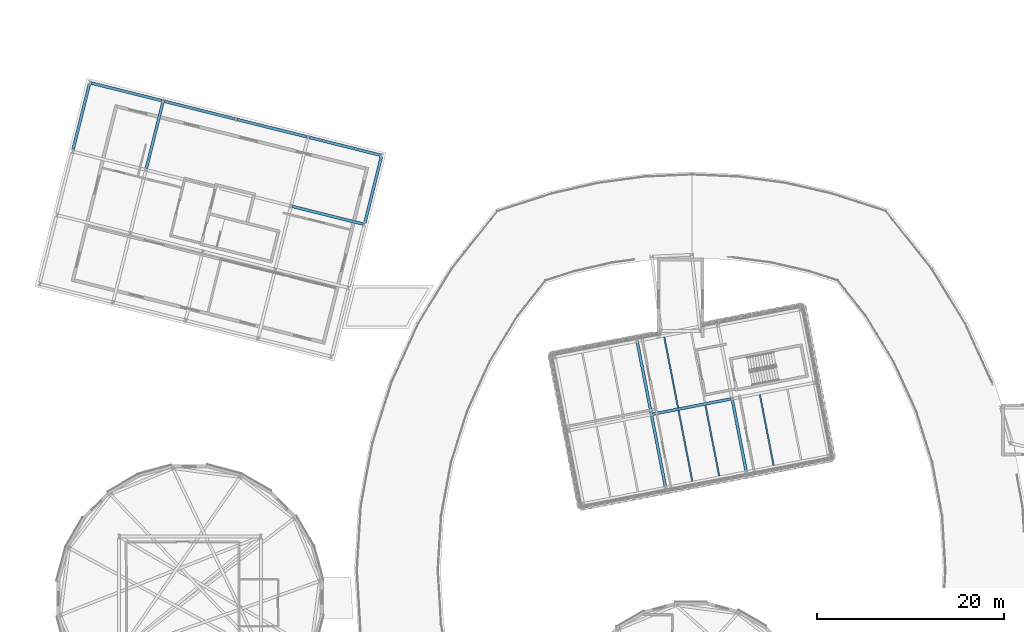
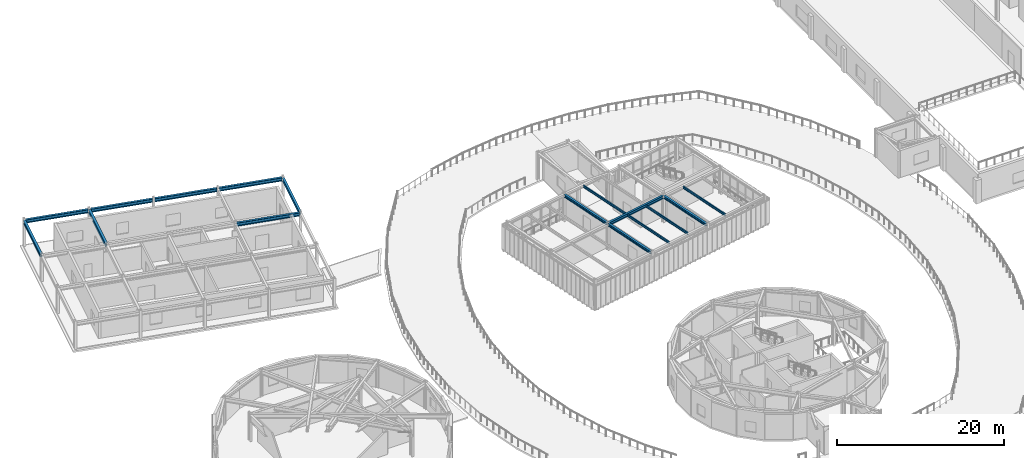
# One storey, part 22 of 59: 16 beams.
"""IFC4 building model written with IfcOpenShell, lengths in metres."""

from ifc_helpers import new_model, si_unit, direction, frame, origin, origin_2d, place, context, subcontext, project, spatial, i_section, extrude, material, material_profile, profile_set, type_object, element, save


model = new_model("IFC4")

# Units and contexts
model_context = context("Model", 3, precision=1e-05, world=origin(), true_north=direction((0.0, 1.0)))
body_context = subcontext(model_context, "Body", "Model", "MODEL_VIEW")
ifc_project = project(units=[si_unit("LENGTHUNIT", "METRE"), si_unit("AREAUNIT", "SQUARE_METRE"), si_unit("VOLUMEUNIT", "CUBIC_METRE"), si_unit("PLANEANGLEUNIT", "RADIAN"), si_unit("MASSUNIT", "GRAM", prefix="KILO")], contexts=[model_context])

# Site, building, storey
site_placement = place(None, origin())
site = spatial("IfcSite", under=ifc_project, at=site_placement, CompositionType="ELEMENT")
building_placement = place(site_placement, origin())
building = spatial("IfcBuilding", under=site, at=building_placement, Name="Varnklinge Art Gallery", CompositionType="ELEMENT")
storey_placement = place(building_placement, frame((0.0, 0.0, 9.52001953125)))
storey = spatial("IfcBuildingStorey", under=building, at=storey_placement, Name="L02", CompositionType="ELEMENT", Elevation=9.52001953125)

# Beams
ifc_material_1 = material(Name="Steel S355", Category="steel")
ifc_material_profile_1 = material_profile(ifc_material_1, i_section(OverallWidth=0.300048828125, OverallDepth=0.489990234375, WebThickness=0.011962890625, FlangeThickness=0.02294921875, FilletRadius=0.027099609375, at=origin_2d()), Name="HEA 500")
ifc_profile_set_1 = profile_set([ifc_material_profile_1], Name="Steel S355")
beam_type_1 = type_object("IfcBeamType", Name="BM-07", PredefinedType="BEAM", material=ifc_profile_set_1)
beam_1_placement = place(storey_placement, frame((32.744873046875, 93.9267578125, 3.675048828125), z_axis=(0.970296564102, -0.241918535239, 0.0), x_axis=(0.241918535239, 0.970296564102, 0.0)))
element("IfcBeam", 1, at=beam_1_placement, inside=storey, type_object=beam_type_1, Name="L02 BM-07 BM-V5-L03-U2-3", PredefinedType="BEAM", context=body_context, shape_type="SweptSolid", body=[
    extrude(i_section(OverallWidth=0.300048828125, OverallDepth=0.489990234375, WebThickness=0.011962890625, FlangeThickness=0.02294921875, FilletRadius=0.027099609375, at=origin_2d()), origin(), (0.0, 0.0, 1.0), 7.820068359375),
])
beam_2_placement = place(storey_placement, frame((11.199462890625, 107.13134765625, 3.675048828125), z_axis=(0.970294736921, -0.241925863651, 0.0), x_axis=(0.241925863651, 0.970294736921, 0.0)))
element("IfcBeam", 2, at=beam_2_placement, inside=storey, type_object=beam_type_1, Name="L02 BM-07 BM-V5-L03-U3-0", PredefinedType="BEAM", context=body_context, shape_type="SweptSolid", body=[
    extrude(i_section(OverallWidth=0.300048828125, OverallDepth=0.489990234375, WebThickness=0.011962890625, FlangeThickness=0.02294921875, FilletRadius=0.027099609375, at=origin_2d()), origin(), (0.0, 0.0, 1.0), 7.81982421875),
])
beam_3_placement = place(storey_placement, frame((19.058837890625, 105.171875, 3.675048828125), z_axis=(0.970294848706, -0.241925415312, 0.0), x_axis=(0.241925415312, 0.970294848706, 0.0)))
element("IfcBeam", 3, at=beam_3_placement, inside=storey, type_object=beam_type_1, Name="L02 BM-07 BM-V5-L03-U3-1", PredefinedType="BEAM", context=body_context, shape_type="SweptSolid", body=[
    extrude(i_section(OverallWidth=0.300048828125, OverallDepth=0.489990234375, WebThickness=0.011962890625, FlangeThickness=0.02294921875, FilletRadius=0.027099609375, at=origin_2d()), origin(), (0.0, 0.0, 1.0), 7.719970703125),
])
beam_4_placement = place(storey_placement, frame((26.821044921875, 103.236328125, 3.675048828125), z_axis=(0.970304122122, -0.241888219213, 0.0), x_axis=(0.241888219213, 0.970304122122, 0.0)))
element("IfcBeam", 4, at=beam_4_placement, inside=storey, type_object=beam_type_1, Name="L02 BM-07 BM-V5-L03-U3-2", PredefinedType="BEAM", context=body_context, shape_type="SweptSolid", body=[
    extrude(i_section(OverallWidth=0.300048828125, OverallDepth=0.489990234375, WebThickness=0.011962890625, FlangeThickness=0.02294921875, FilletRadius=0.027099609375, at=origin_2d()), origin(), (0.0, 0.0, 1.0), 7.72021484375),
])
beam_5_placement = place(storey_placement, frame((34.58349609375, 101.301025390625, 3.675048828125), z_axis=(0.970296564102, -0.241918535239, 0.0), x_axis=(0.241918535239, 0.970296564102, 0.0)))
element("IfcBeam", 5, at=beam_5_placement, inside=storey, type_object=beam_type_1, Name="L02 BM-07 BM-V5-L03-U3-3", PredefinedType="BEAM", context=body_context, shape_type="SweptSolid", body=[
    extrude(i_section(OverallWidth=0.300048828125, OverallDepth=0.489990234375, WebThickness=0.011962890625, FlangeThickness=0.02294921875, FilletRadius=0.027099609375, at=origin_2d()), origin(), (0.0, 0.0, 1.0), 7.820068359375),
])
ifc_material_2 = material(Name="Steel S355", Category="steel")
ifc_material_profile_2 = material_profile(ifc_material_2, i_section(OverallWidth=0.300048828125, OverallDepth=0.43994140625, WebThickness=0.011474609375, FlangeThickness=0.02099609375, FilletRadius=0.027099609375, at=origin_2d()), Name="HEA 450")
ifc_profile_set_2 = profile_set([ifc_material_profile_2], Name="Steel S355")
beam_type_2 = type_object("IfcBeamType", Name="BM-08", PredefinedType="BEAM", material=ifc_profile_set_2)
beam_6_placement = place(storey_placement, frame((71.318115234375, 71.68701171875, 3.739990234375), z_axis=(0.981622248906, 0.19083437964, 0.0), x_axis=(-0.19083437964, 0.981622248906, 0.0)))
element("IfcBeam", 6, at=beam_6_placement, inside=storey, type_object=beam_type_2, Name="L02 BM-08 BM-V4B-L03-U1-1", PredefinedType="BEAM", context=body_context, shape_type="SweptSolid", body=[
    extrude(i_section(OverallWidth=0.300048828125, OverallDepth=0.43994140625, WebThickness=0.011474609375, FlangeThickness=0.02099609375, FilletRadius=0.027099609375, at=origin_2d()), origin(), (0.0, 0.0, 1.0), 8.520263671875),
])
for number, where, z_axis, x_axis, name in (
    (7, (9.2587890625, 99.9267578125, 3.699951171875), (0.241939157724, 0.970291422182, 0.0), (-0.970291422182, 0.241939157724, 0.0), "L02 BM-08 BM-V5-L03-V0-2"),
    (8, (17.118408203125, 97.96728515625, 3.699951171875), (0.241907757102, 0.97029925129, 0.0), (-0.97029925129, 0.241907757102, 0.0), "L02 BM-08 BM-V5-L03-V1-2"),
    (9, (40.50244140625, 92.136962890625, 3.699951171875), (0.241907757102, 0.97029925129, 0.0), (-0.97029925129, 0.241907757102, 0.0), "L02 BM-08 BM-V5-L03-V4-2"),
):
    element("IfcBeam", number, at=place(storey_placement, frame(where, z_axis=z_axis, x_axis=x_axis)), inside=storey, type_object=beam_type_2, Name=name, PredefinedType="BEAM", context=body_context, shape_type="SweptSolid", body=[
        extrude(i_section(OverallWidth=0.300048828125, OverallDepth=0.43994140625, WebThickness=0.011474609375, FlangeThickness=0.02099609375, FilletRadius=0.027099609375, at=origin_2d()), origin(), (0.0, 0.0, 1.0), 7.320068359375),
    ])
ifc_material_3 = material(Name="Steel S355", Category="steel")
ifc_material_profile_3 = material_profile(ifc_material_3, i_section(OverallWidth=0.300048828125, OverallDepth=0.389892578125, WebThickness=0.010986328125, FlangeThickness=0.01904296875, FilletRadius=0.027099609375, at=origin_2d()), Name="HEA 400")
ifc_profile_set_3 = profile_set([ifc_material_profile_3], Name="Steel S355")
beam_type_3 = type_object("IfcBeamType", Name="BM-09", PredefinedType="BEAM", material=ifc_profile_set_3)
beam_7_placement = place(storey_placement, frame((72.6806640625, 63.94482421875, 3.764892578125), z_axis=(-0.190822257393, 0.98162460548, 0.0), x_axis=(-0.98162460548, -0.190822257393, 0.0)))
element("IfcBeam", 10, at=beam_7_placement, inside=storey, type_object=beam_type_3, Name="L02 BM-09 BM-V4B-L03-V1-0", PredefinedType="BEAM", context=body_context, shape_type="SweptSolid", body=[
    extrude(i_section(OverallWidth=0.300048828125, OverallDepth=0.389892578125, WebThickness=0.010986328125, FlangeThickness=0.01904296875, FilletRadius=0.027099609375, at=origin_2d()), origin(), (0.0, 0.0, 1.0), 7.719970703125),
])
for number, where, z_axis, x_axis, name in (
    (11, (71.154052734375, 71.7978515625, 3.764892578125), (-0.190785861445, 0.981631679946, 0.0), (-0.981631679946, -0.190785861445, 0.0), "L02 BM-09 BM-V4B-L03-V1-1"),
    (12, (81.31884765625, 65.623779296875, 3.764892578125), (-0.190785861445, 0.981631679946, 0.0), (-0.981631679946, -0.190785861445, 0.0), "L02 BM-09 BM-V4B-L03-V2-0"),
):
    element("IfcBeam", number, at=place(storey_placement, frame(where, z_axis=z_axis, x_axis=x_axis)), inside=storey, type_object=beam_type_3, Name=name, PredefinedType="BEAM", context=body_context, shape_type="SweptSolid", body=[
        extrude(i_section(OverallWidth=0.300048828125, OverallDepth=0.389892578125, WebThickness=0.010986328125, FlangeThickness=0.01904296875, FilletRadius=0.027099609375, at=origin_2d()), origin(), (0.0, 0.0, 1.0), 7.72021484375),
    ])
ifc_material_4 = material(Name="Steel S355", Category="steel")
ifc_material_profile_4 = material_profile(ifc_material_4, i_section(OverallWidth=0.159912109375, OverallDepth=0.330078125, WebThickness=0.007568359375, FlangeThickness=0.011474609375, FilletRadius=0.01806640625, at=origin_2d()), Name="IPE 330")
ifc_profile_set_4 = profile_set([ifc_material_profile_4], Name="Steel S355")
beam_type_4 = type_object("IfcBeamType", Name="JST-07", PredefinedType="JOIST", material=ifc_profile_set_4)
beam_8_placement = place(storey_placement, frame((75.56005859375, 64.50439453125, 3.794921875), z_axis=(-0.190816333803, 0.981625756974, 0.0), x_axis=(-0.981625756974, -0.190816333803, 0.0)))
element("IfcBeam", 13, at=beam_8_placement, inside=storey, type_object=beam_type_4, Name="L02 JST-07 JST-V4B-L03-1-0-1", PredefinedType="JOIST", context=body_context, shape_type="SweptSolid", body=[
    extrude(i_section(OverallWidth=0.159912109375, OverallDepth=0.330078125, WebThickness=0.007568359375, FlangeThickness=0.011474609375, FilletRadius=0.01806640625, at=origin_2d()), origin(), (0.0, 0.0, 1.0), 7.72021484375),
])
for number, where, z_axis, x_axis, name in (
    (14, (78.439453125, 65.064208984375, 3.794921875), (-0.190822257393, 0.98162460548, 0.0), (-0.98162460548, -0.190822257393, 0.0), "L02 JST-07 JST-V4B-L03-1-0-2"),
    (15, (74.03369140625, 72.357666015625, 3.794921875), (-0.190822257393, 0.98162460548, 0.0), (-0.98162460548, -0.190822257393, 0.0), "L02 JST-07 JST-V4B-L03-1-1-1"),
):
    element("IfcBeam", number, at=place(storey_placement, frame(where, z_axis=z_axis, x_axis=x_axis)), inside=storey, type_object=beam_type_4, Name=name, PredefinedType="JOIST", context=body_context, shape_type="SweptSolid", body=[
        extrude(i_section(OverallWidth=0.159912109375, OverallDepth=0.330078125, WebThickness=0.007568359375, FlangeThickness=0.011474609375, FilletRadius=0.01806640625, at=origin_2d()), origin(), (0.0, 0.0, 1.0), 7.719970703125),
    ])
beam_9_placement = place(storey_placement, frame((84.263916015625, 66.1962890625, 3.794921875), z_axis=(-0.190816333803, 0.981625756974, 0.0), x_axis=(-0.981625756974, -0.190816333803, 0.0)))
element("IfcBeam", 16, at=beam_9_placement, inside=storey, type_object=beam_type_4, Name="L02 JST-07 JST-V4B-L03-2-0-1", PredefinedType="JOIST", context=body_context, shape_type="SweptSolid", body=[
    extrude(i_section(OverallWidth=0.159912109375, OverallDepth=0.330078125, WebThickness=0.007568359375, FlangeThickness=0.011474609375, FilletRadius=0.01806640625, at=origin_2d()), origin(), (0.0, 0.0, 1.0), 7.72021484375),
])

save(model, "model.ifc")
